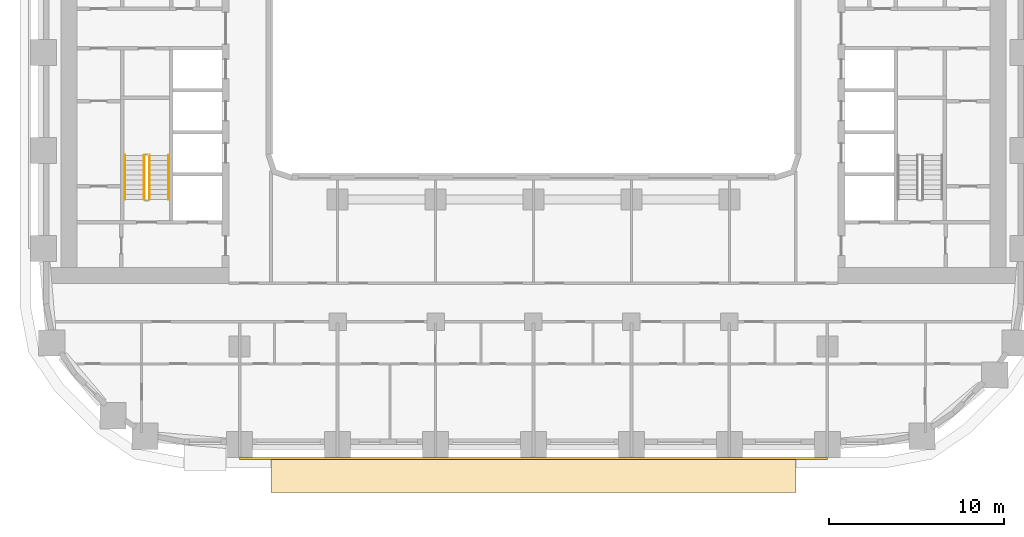
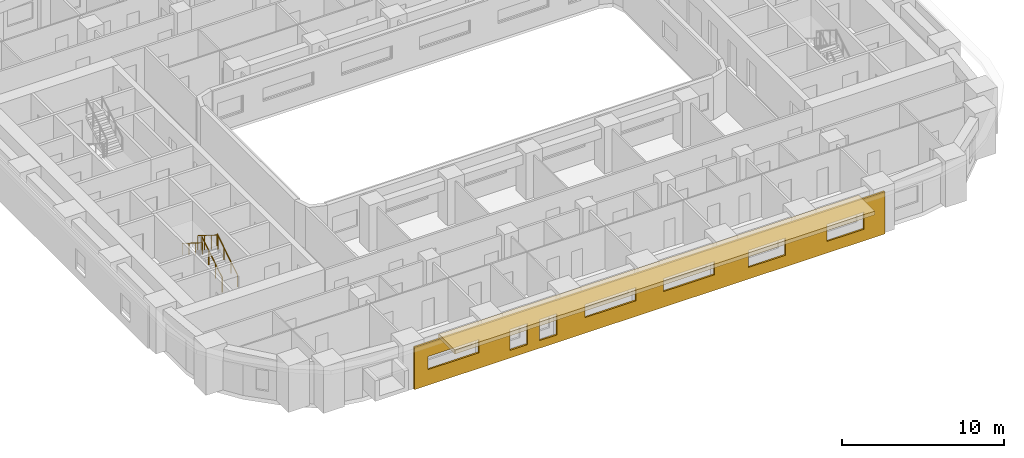
# One storey, part 12 of 21: 4 railings, 2 coverings.
"""IFC4 building model written with IfcOpenShell, lengths in metres."""

import ifcopenshell
import ifcopenshell.guid

model = None  # the IFC model being written
_history = None  # IfcOwnerHistory: only IFC2X3 demands one
_inside = {}  # id of a spatial element -> (the spatial element, [elements in it])
_under = {}  # id of a project, library or spatial element -> (it, [spatial elements below it])
_declared = {}  # id of a project -> (the project, [libraries it declares])
_typed = {}  # id of a type object -> (the type object, [elements of that type])
_made_of = {}  # id of a material, layer set ... -> (it, [elements and type objects made of it])


def new_model(schema):
    """Start an empty IFC model of exactly this schema.

    Asked for "IFC4X3", IfcOpenShell would pick the latest addendum, in which some entities
    have other attributes; the version numbers below select the first issue.
    IFC2X3 requires an IfcOwnerHistory on every rooted entity: one is made here for all.
    """
    global model, _history
    if schema == "IFC4X3":
        model = ifcopenshell.file(schema_version=(4, 3, 0, 0))
    else:
        model = ifcopenshell.file(schema=schema)
    _inside.clear()
    _under.clear()
    _declared.clear()
    _typed.clear()
    _made_of.clear()
    _history = None
    if model.schema == "IFC2X3":
        org = make("IfcOrganization", Name="unknown")
        user = make(
            "IfcPersonAndOrganization",
            ThePerson=make("IfcPerson", FamilyName="unknown"),
            TheOrganization=org,
        )
        app = make(
            "IfcApplication",
            ApplicationDeveloper=org,
            Version="unknown",
            ApplicationFullName="unknown",
            ApplicationIdentifier="unknown",
        )
        _history = make(
            "IfcOwnerHistory",
            OwningUser=user,
            OwningApplication=app,
            ChangeAction="ADDED",
            CreationDate=0,
        )
    return model


def make(cls, **values):
    """One entity of the class cls with the attributes given. An attribute that is None is left unset."""
    return model.create_entity(
        cls, **{name: value for name, value in values.items() if value is not None}
    )


def rooted(cls, **values):
    """An entity with a GlobalId (a new one), such as an element, a storey or a relation."""
    return make(cls, GlobalId=ifcopenshell.guid.new(), OwnerHistory=_history, **values)


def si_unit(unit_type, name, prefix=None):
    """IfcSIUnit, for example si_unit("LENGTHUNIT", "METRE", prefix="MILLI")."""
    return make("IfcSIUnit", UnitType=unit_type, Prefix=prefix, Name=name)


def assignment(units):
    """IfcUnitAssignment: the units of a project."""
    return None if units is None else make("IfcUnitAssignment", Units=units)


def point(xyz):
    """IfcCartesianPoint."""
    return None if xyz is None else make("IfcCartesianPoint", Coordinates=xyz)


def direction(xyz):
    """IfcDirection."""
    return None if xyz is None else make("IfcDirection", DirectionRatios=xyz)


def frame(location, z_axis=None, x_axis=None):
    """IfcAxis2Placement3D, a coordinate frame: its origin and axes. An axis left out is left unset."""
    return make(
        "IfcAxis2Placement3D",
        Location=point(location),
        Axis=direction(z_axis),
        RefDirection=direction(x_axis),
    )


def frame_2d(location, x_axis=None):
    """IfcAxis2Placement2D, a coordinate frame in the plane: its origin and x axis."""
    return make(
        "IfcAxis2Placement2D", Location=point(location), RefDirection=direction(x_axis)
    )


def origin():
    """The frame at (0, 0, 0) with its axes left unset."""
    return frame((0.0, 0.0, 0.0))


def origin_2d():
    """The frame at (0, 0) in the plane with its x axis left unset."""
    return frame_2d((0.0, 0.0))


def place(relative_to, where):
    """IfcLocalPlacement: puts the frame where relative to a parent placement (None: the world)."""
    return make(
        "IfcLocalPlacement", PlacementRelTo=relative_to, RelativePlacement=where
    )


def context(
    kind, dimensions, precision=None, world=None, true_north=None, identifier=None
):
    """IfcGeometricRepresentationContext, for example the 3D "Model" context."""
    return make(
        "IfcGeometricRepresentationContext",
        ContextIdentifier=identifier,
        ContextType=kind,
        CoordinateSpaceDimension=dimensions,
        Precision=precision,
        WorldCoordinateSystem=world,
        TrueNorth=true_north,
    )


def subcontext(parent, identifier, kind, view, scale=None):
    """IfcGeometricRepresentationSubContext, for example "Body" below "Model"."""
    return make(
        "IfcGeometricRepresentationSubContext",
        ContextIdentifier=identifier,
        ContextType=kind,
        ParentContext=parent,
        TargetScale=scale,
        TargetView=view,
    )


def project(units=None, contexts=None):
    """IfcProject with its units and contexts."""
    return rooted(
        "IfcProject",
        Name="project",
        RepresentationContexts=contexts,
        UnitsInContext=assignment(units),
    )


def spatial(cls, under=None, at=None, **own):
    """A site, building, storey or space (cls), placed at a placement, below another one or the project."""
    s = rooted(cls, ObjectPlacement=at, **own)
    if under is not None:
        _under.setdefault(under.id(), (under, []))[1].append(s)
    return s


def polyline(points):
    """IfcPolyline through the points."""
    return make("IfcPolyline", Points=[point(p) for p in points])


def profile(cls, at=None, kind="AREA", **sizes):
    """A parametric profile (cls). Its sizes go by their IFC names, for example OverallWidth=200.0."""
    return make(cls, ProfileType=kind, Position=at, **sizes)


def circle(**sizes):
    """IfcCircleProfileDef."""
    return profile("IfcCircleProfileDef", **sizes)


def outline(outer, holes=None, kind="AREA"):
    """IfcArbitraryClosedProfileDef: a profile drawn as a closed curve; with holes, ...WithVoids."""
    if holes is None:
        return make("IfcArbitraryClosedProfileDef", ProfileType=kind, OuterCurve=outer)
    return make(
        "IfcArbitraryProfileDefWithVoids",
        ProfileType=kind,
        OuterCurve=outer,
        InnerCurves=holes,
    )


def extrude(swept, where, along, depth):
    """IfcExtrudedAreaSolid: the profile swept, set in the frame where, extruded along a direction by depth."""
    return make(
        "IfcExtrudedAreaSolid",
        SweptArea=swept,
        Position=where,
        ExtrudedDirection=direction(along),
        Depth=depth,
    )


def shape(context_of_items, identifier, shape_type, items):
    """IfcShapeRepresentation: the items that make up one representation, for example the "Body"."""
    return make(
        "IfcShapeRepresentation",
        ContextOfItems=context_of_items,
        RepresentationIdentifier=identifier,
        RepresentationType=shape_type,
        Items=items,
    )


def material(Name=None, Category=None):
    """IfcMaterial."""
    return make("IfcMaterial", Name=Name, Category=Category)


def layer(
    of_material, thickness, ventilated=None, Name=None, Category=None, Priority=None
):
    """IfcMaterialLayer: one layer of a wall or slab, of a material (None: an air gap)."""
    return make(
        "IfcMaterialLayer",
        Material=of_material,
        LayerThickness=thickness,
        IsVentilated=ventilated,
        Name=Name,
        Category=Category,
        Priority=Priority,
    )


def layer_set(layers, Name=None):
    """IfcMaterialLayerSet."""
    return make("IfcMaterialLayerSet", MaterialLayers=layers, LayerSetName=Name)


def made_of(thing, what):
    """Note that an element or type object is made of a material, layer set ...; save() writes the relation."""
    if what is not None:
        _made_of.setdefault(what.id(), (what, []))[1].append(thing)
    return thing


def type_object(cls, material=None, **own):
    """A type object (cls), such as IfcWallType, which elements share."""
    return made_of(rooted(cls, **own), material)


def element(
    cls,
    number,
    at=None,
    inside=None,
    cuts=None,
    type_object=None,
    material=None,
    context=None,
    identifier="Body",
    shape_type=None,
    held_by="IfcProductDefinitionShape",
    body=None,
    shapes=None,
    **own,
):
    """One element of the class cls, such as IfcWall. Its Tag is "e" and its number.

    at: its placement. inside: the storey or other place that contains it. cuts: it is an
    opening in that element (IfcRelVoidsElement). A single representation is given by context,
    identifier, shape_type and body (its items); several are given by shapes. held_by: the class
    of the entity that holds the representations. save() writes the other relations.
    """
    e = rooted(cls, Tag="e%d" % number, ObjectPlacement=at, **own)
    if body is not None:
        shapes = [shape(context, identifier, shape_type, body)]
    if shapes is not None:
        e.Representation = make(held_by, Representations=shapes)
    if inside is not None:
        _inside.setdefault(inside.id(), (inside, []))[1].append(e)
    if cuts is not None:
        rooted(
            "IfcRelVoidsElement", RelatingBuildingElement=cuts, RelatedOpeningElement=e
        )
    if type_object is not None:
        _typed.setdefault(type_object.id(), (type_object, []))[1].append(e)
    return made_of(e, material)


def aggregate(whole, parts):
    """IfcRelAggregates: a whole, such as a stair, and the parts it consists of."""
    return rooted("IfcRelAggregates", RelatingObject=whole, RelatedObjects=parts)


def save(model, path):
    """Write the relations noted so far, then the file.

    IfcRelAggregates (storeys below a building ...), IfcRelContainedInSpatialStructure (elements
    in a storey), IfcRelDefinesByType, IfcRelAssociatesMaterial and IfcRelDeclares: one each for
    every whole, place, type object, material and project.
    """
    for whole, parts in _under.values():
        aggregate(whole, parts)
    for where, things in _inside.values():
        rooted(
            "IfcRelContainedInSpatialStructure",
            RelatedElements=things,
            RelatingStructure=where,
        )
    for kind, things in _typed.values():
        rooted("IfcRelDefinesByType", RelatedObjects=things, RelatingType=kind)
    for what, things in _made_of.values():
        rooted("IfcRelAssociatesMaterial", RelatedObjects=things, RelatingMaterial=what)
    for by, libraries in _declared.values():
        rooted("IfcRelDeclares", RelatingContext=by, RelatedDefinitions=libraries)
    model.write(path)


model = new_model("IFC4")

# Units and contexts
model_context = context("Model", 3, precision=1e-05, world=origin(), true_north=direction((0.0, 1.0)))
body_context = subcontext(model_context, "Body", "Model", "MODEL_VIEW")
ifc_project = project(units=[si_unit("LENGTHUNIT", "METRE"), si_unit("AREAUNIT", "SQUARE_METRE"), si_unit("VOLUMEUNIT", "CUBIC_METRE"), si_unit("PLANEANGLEUNIT", "RADIAN"), si_unit("MASSUNIT", "GRAM", prefix="KILO")], contexts=[model_context])

# Site, building, storey
site_placement = place(None, origin())
site = spatial("IfcSite", under=ifc_project, at=site_placement, CompositionType="ELEMENT")
building_placement = place(site_placement, origin())
building = spatial("IfcBuilding", under=site, at=building_placement, Name="Kiln Ring Residences", CompositionType="ELEMENT")
storey_placement = place(building_placement, frame((0.0, 0.0, 41.0)))
storey = spatial("IfcBuildingStorey", under=building, at=storey_placement, Name="L09", CompositionType="ELEMENT", Elevation=41.0)

# Railings
ifc_material_1 = material(Name="Stainless steel", Category="steel")
railing_type_1 = type_object("IfcRailingType", Name="CORE-STAIR-GUARD", PredefinedType="GUARDRAIL", material=ifc_material_1)
railing_1_placement = place(storey_placement, frame((-21.949951171875, -8.39990234375, 0.175048828125)))
element("IfcRailing", 1, at=railing_1_placement, inside=storey, type_object=railing_type_1, Name="L09 W-STS stair guard 1", PredefinedType="GUARDRAIL", context=body_context, shape_type="SweptSolid", body=[
    extrude(circle(Radius=0.02392578125, at=origin_2d()), frame((0.0, 0.0, 1.076171875), z_axis=(0.0, 0.848007534815, 0.529984170421), x_axis=(-1.0, 0.0, 0.0)), (0.0, 0.0, 1.0), 2.9716796875),
    extrude(circle(Radius=0.02099609375, at=origin_2d()), origin(), (0.0, 0.0, 1.0), 1.052001953125),
    extrude(circle(Radius=0.02099609375, at=origin_2d()), frame((0.0, 0.840087890625, 0.52490234375)), (0.0, 0.0, 1.0), 1.052001953125),
    extrude(circle(Radius=0.02099609375, at=origin_2d()), frame((0.0, 1.679931640625, 1.050048828125)), (0.0, 0.0, 1.0), 1.052001953125),
    extrude(circle(Radius=0.02099609375, at=origin_2d()), frame((0.0, 2.52001953125, 1.574951171875)), (0.0, 0.0, 1.0), 1.052001953125),
])
railing_2_placement = place(storey_placement, frame((-22.25, -5.8798828125, 1.925048828125)))
element("IfcRailing", 2, at=railing_2_placement, inside=storey, type_object=railing_type_1, Name="L09 W-STS stair guard 3", PredefinedType="GUARDRAIL", context=body_context, shape_type="SweptSolid", body=[
    extrude(circle(Radius=0.02392578125, at=origin_2d()), frame((0.0, 0.0, 1.076171875), z_axis=(0.0, -0.848007534815, 0.529984170421), x_axis=(1.0, 0.0, 0.0)), (0.0, 0.0, 1.0), 2.9716796875),
    extrude(circle(Radius=0.02099609375, at=origin_2d()), origin(), (0.0, 0.0, 1.0), 1.052001953125),
    extrude(circle(Radius=0.02099609375, at=origin_2d()), frame((0.0, -0.840087890625, 0.52490234375)), (0.0, 0.0, 1.0), 1.052001953125),
    extrude(circle(Radius=0.02099609375, at=origin_2d()), frame((0.0, -1.679931640625, 1.050048828125)), (0.0, 0.0, 1.0), 1.052001953125),
    extrude(circle(Radius=0.02099609375, at=origin_2d()), frame((0.0, -2.52001953125, 1.574951171875)), (0.0, 0.0, 1.0), 1.052001953125),
])
ifc_material_2 = material(Name="Stainless steel", Category="steel")
railing_type_2 = type_object("IfcRailingType", Name="CORE-STAIR-HANDRAIL", PredefinedType="HANDRAIL", material=ifc_material_2)
railing_3_placement = place(storey_placement, frame((-20.85009765625, -8.39990234375, 0.175048828125)))
element("IfcRailing", 3, at=railing_3_placement, inside=storey, type_object=railing_type_2, Name="L09 W-STS stair handrail 1", PredefinedType="HANDRAIL", context=body_context, shape_type="SweptSolid", body=[
    extrude(circle(Radius=0.02392578125, at=origin_2d()), frame((0.0, 0.0, 0.8759765625), z_axis=(0.0, 0.848007534815, 0.529984170421), x_axis=(-1.0, 0.0, 0.0)), (0.0, 0.0, 1.0), 2.9716796875),
    extrude(circle(Radius=0.02099609375, at=origin_2d()), origin(), (0.0, 0.0, 1.0), 0.851806640625),
    extrude(circle(Radius=0.02099609375, at=origin_2d()), frame((0.0, 0.840087890625, 0.52490234375)), (0.0, 0.0, 1.0), 0.851806640625),
    extrude(circle(Radius=0.02099609375, at=origin_2d()), frame((0.0, 1.679931640625, 1.050048828125)), (0.0, 0.0, 1.0), 0.851806640625),
    extrude(circle(Radius=0.02099609375, at=origin_2d()), frame((0.0, 2.52001953125, 1.574951171875)), (0.0, 0.0, 1.0), 0.851806640625),
])
railing_4_placement = place(storey_placement, frame((-23.35009765625, -5.8798828125, 1.925048828125)))
element("IfcRailing", 4, at=railing_4_placement, inside=storey, type_object=railing_type_2, Name="L09 W-STS stair handrail 2", PredefinedType="HANDRAIL", context=body_context, shape_type="SweptSolid", body=[
    extrude(circle(Radius=0.02392578125, at=origin_2d()), frame((0.0, 0.0, 0.8759765625), z_axis=(0.0, -0.848007534815, 0.529984170421), x_axis=(1.0, 0.0, 0.0)), (0.0, 0.0, 1.0), 2.9716796875),
    extrude(circle(Radius=0.02099609375, at=origin_2d()), origin(), (0.0, 0.0, 1.0), 0.851806640625),
    extrude(circle(Radius=0.02099609375, at=origin_2d()), frame((0.0, -0.840087890625, 0.52490234375)), (0.0, 0.0, 1.0), 0.851806640625),
    extrude(circle(Radius=0.02099609375, at=origin_2d()), frame((0.0, -1.679931640625, 1.050048828125)), (0.0, 0.0, 1.0), 0.851806640625),
    extrude(circle(Radius=0.02099609375, at=origin_2d()), frame((0.0, -2.52001953125, 1.574951171875)), (0.0, 0.0, 1.0), 0.851806640625),
])

# Coverings
ifc_material_3 = material(Name="Brick masonry, dark clay brick", Category="masonry")
ifc_layer_1 = layer(ifc_material_3, 0.1201171875)
ifc_layer_set_1 = layer_set([ifc_layer_1], Name="RAINSCREEN PANEL 120")
covering_type_1 = type_object("IfcCoveringType", Name="RAINSCREEN PANEL 120", PredefinedType="CLADDING", material=ifc_layer_set_1)
covering_1_placement = place(storey_placement, frame((-16.800048828125, -23.2099609375, 0.0), z_axis=(0.0, 0.0, 1.0), x_axis=(1.0, 0.0, 0.0)))
element("IfcCovering", 5, at=covering_1_placement, inside=storey, type_object=covering_type_1, Name="RAINSCREEN L09", PredefinedType="CLADDING", context=body_context, shape_type="SweptSolid", body=[
    extrude(outline(polyline([(0.0, 0.0), (33.60009765625, 0.0), (33.60009765625, 3.199951171875), (0.0, 3.199951171875), (0.0, 0.0)]), holes=[polyline([(8.0576171875, 0.580078125), (8.0576171875, 2.169921875), (6.8173828125, 2.169921875), (6.8173828125, 0.580078125), (8.0576171875, 0.580078125)]), polyline([(8.9423828125, 0.580078125), (10.1826171875, 0.580078125), (10.1826171875, 2.169921875), (8.9423828125, 2.169921875), (8.9423828125, 0.580078125)]), polyline([(23.8798828125, 0.8798828125), (26.52001953125, 0.8798828125), (26.52001953125, 2.169921875), (23.8798828125, 2.169921875), (23.8798828125, 0.8798828125)]), polyline([(29.47998046875, 0.8798828125), (32.1201171875, 0.8798828125), (32.1201171875, 2.169921875), (29.47998046875, 2.169921875), (29.47998046875, 0.8798828125)]), polyline([(0.97998046875, 1.179931640625), (4.6201171875, 1.179931640625), (4.6201171875, 2.169921875), (0.97998046875, 2.169921875), (0.97998046875, 1.179931640625)]), polyline([(12.179931640625, 1.179931640625), (15.820068359375, 1.179931640625), (15.820068359375, 2.169921875), (12.179931640625, 2.169921875), (12.179931640625, 1.179931640625)]), polyline([(17.780029296875, 1.179931640625), (21.419921875, 1.179931640625), (21.419921875, 2.169921875), (17.780029296875, 2.169921875), (17.780029296875, 1.179931640625)])]), frame((0.0, 0.06005859375, 0.0), z_axis=(0.0, -1.0, 0.0), x_axis=(1.0, 0.0, 0.0)), (0.0, 0.0, 1.0), 0.1201171875),
])
ifc_material_4 = material(Name="Black powder-coated steel", Category="steel")
ifc_layer_2 = layer(ifc_material_4, 0.300048828125)
ifc_layer_set_2 = layer_set([ifc_layer_2], Name="SUNSHADE BAND 2000")
covering_type_2 = type_object("IfcCoveringType", Name="SUNSHADE BAND 2000", PredefinedType="CLADDING", material=ifc_layer_set_2)
covering_2_placement = place(storey_placement, frame((0.0, 0.0, 3.199951171875)))
element("IfcCovering", 6, at=covering_2_placement, inside=storey, type_object=covering_type_2, Name="SUNSHADE BAND L09", PredefinedType="CLADDING", context=body_context, shape_type="SweptSolid", body=[
    extrude(outline(polyline([(-15.0, -25.14990234375), (15.0, -25.14990234375), (15.0, -23.14990234375), (-15.0, -23.14990234375), (-15.0, -25.14990234375)])), origin(), (0.0, 0.0, 1.0), 0.300048828125),
])

save(model, "model.ifc")
